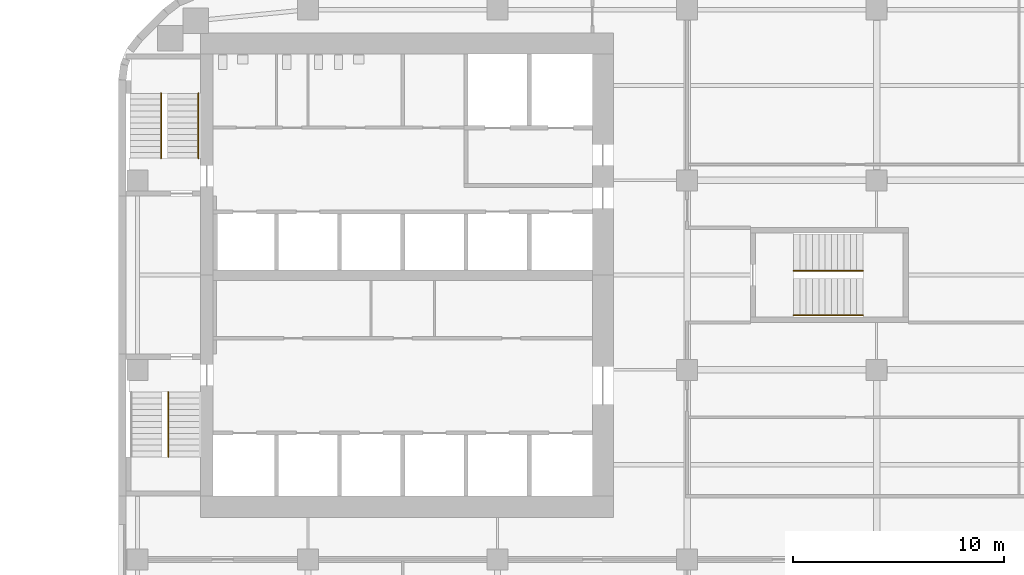
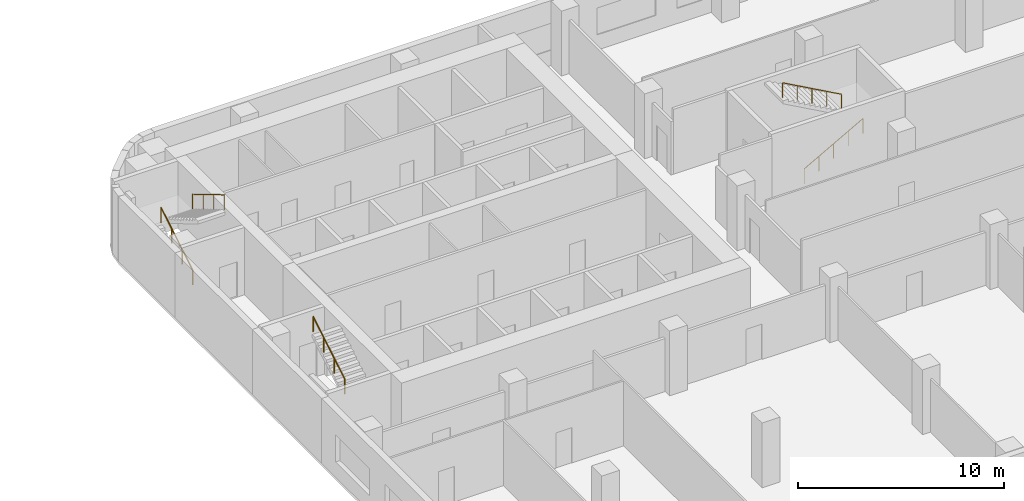
# One storey, part 15 of 16: 5 railings, 3 elements without a shape of their own.
"""IFC4 building model written with IfcOpenShell, lengths in metres."""

from ifc_helpers import new_model, si_unit, direction, frame, origin, origin_2d, place, context, subcontext, project, spatial, circle, extrude, material, type_object, element, aggregate, save


model = new_model("IFC4")

# Units and contexts
model_context = context("Model", 3, precision=1e-05, world=origin(), true_north=direction((0.0, 1.0)))
body_context = subcontext(model_context, "Body", "Model", "MODEL_VIEW")
ifc_project = project(units=[si_unit("LENGTHUNIT", "METRE"), si_unit("AREAUNIT", "SQUARE_METRE"), si_unit("VOLUMEUNIT", "CUBIC_METRE"), si_unit("PLANEANGLEUNIT", "RADIAN"), si_unit("MASSUNIT", "GRAM", prefix="KILO")], contexts=[model_context])

# Site, building, storey
site_placement = place(None, origin())
site = spatial("IfcSite", under=ifc_project, at=site_placement, CompositionType="ELEMENT")
building_placement = place(site_placement, origin())
building = spatial("IfcBuilding", under=site, at=building_placement, Name="Cinnabar Reach Civic Tower", CompositionType="ELEMENT")
storey_placement = place(building_placement, frame((0.0, 0.0, 79.0)))
storey = spatial("IfcBuildingStorey", under=building, at=storey_placement, Name="L18", CompositionType="ELEMENT", Elevation=79.0)

# Stair, railing
ifc_material_1 = material(Name="Concrete C40/50", Category="concrete")
stair_type = type_object("IfcStairType", Name="T1 Exit stair, half-turn", PredefinedType="HALF_TURN_STAIR", material=ifc_material_1)
stair_1_placement = place(storey_placement, origin())
stair_1 = element("IfcStair", 1, at=stair_1_placement, inside=storey, type_object=stair_type, Name="Stair T1-S1", PredefinedType="HALF_TURN_STAIR")
ifc_material_2 = material(Name="Stainless steel tube", Category="steel")
railing_type = type_object("IfcRailingType", Name="T1 Stair handrail, stainless tube 48", PredefinedType="HANDRAIL", material=ifc_material_2)
railing_1_placement = place(storey_placement, frame((2.375, 22.87, 2.1667)))
railing_1 = element("IfcRailing", 2, at=railing_1_placement, type_object=railing_type, Name="T1-S1 handrail 2", PredefinedType="HANDRAIL", context=body_context, shape_type="SweptSolid", body=[
    extrude(circle(Radius=0.024, at=origin_2d()), frame((0.0, 0.0, 0.876), z_axis=(0.0, 0.859296971757, 0.511476992962), x_axis=(-1.0, 0.0, 0.0)), (0.0, 0.0, 1.0), 3.5843),
    extrude(circle(Radius=0.021, at=origin_2d()), origin(), (0.0, 0.0, 1.0), 0.852),
    extrude(circle(Radius=0.021, at=origin_2d()), frame((0.0, 1.0267, 0.6111)), (0.0, 0.0, 1.0), 0.852),
    extrude(circle(Radius=0.021, at=origin_2d()), frame((0.0, 2.0533, 1.2222)), (0.0, 0.0, 1.0), 0.852),
    extrude(circle(Radius=0.021, at=origin_2d()), frame((0.0, 3.08, 1.8333)), (0.0, 0.0, 1.0), 0.852),
])
aggregate(stair_1, [railing_1])

# Stair, railings
stair_2_placement = place(storey_placement, origin())
stair_2 = element("IfcStair", 3, at=stair_2_placement, inside=storey, type_object=stair_type, Name="Stair T1-S2", PredefinedType="HALF_TURN_STAIR")
railing_2_placement = place(storey_placement, frame((2.025, 37.05, 0.1667)))
railing_2 = element("IfcRailing", 4, at=railing_2_placement, type_object=railing_type, Name="T1-S2 handrail 1", PredefinedType="HANDRAIL", context=body_context, shape_type="SweptSolid", body=[
    extrude(circle(Radius=0.024, at=origin_2d()), frame((0.0, 0.0, 0.876), z_axis=(0.0, 0.859296971757, 0.511476992962), x_axis=(-1.0, 0.0, 0.0)), (0.0, 0.0, 1.0), 3.5843),
    extrude(circle(Radius=0.021, at=origin_2d()), origin(), (0.0, 0.0, 1.0), 0.852),
    extrude(circle(Radius=0.021, at=origin_2d()), frame((0.0, 1.0267, 0.6111)), (0.0, 0.0, 1.0), 0.852),
    extrude(circle(Radius=0.021, at=origin_2d()), frame((0.0, 2.0533, 1.2222)), (0.0, 0.0, 1.0), 0.852),
    extrude(circle(Radius=0.021, at=origin_2d()), frame((0.0, 3.08, 1.8333)), (0.0, 0.0, 1.0), 0.852),
])
railing_3_placement = place(storey_placement, frame((3.8, 40.13, 2.1667)))
railing_3 = element("IfcRailing", 5, at=railing_3_placement, type_object=railing_type, Name="T1-S2 handrail 2", PredefinedType="HANDRAIL", context=body_context, shape_type="SweptSolid", body=[
    extrude(circle(Radius=0.024, at=origin_2d()), frame((0.0, 0.0, 0.876), z_axis=(0.0, -0.859296971757, 0.511476992962), x_axis=(1.0, 0.0, 0.0)), (0.0, 0.0, 1.0), 3.5843),
    extrude(circle(Radius=0.021, at=origin_2d()), origin(), (0.0, 0.0, 1.0), 0.852),
    extrude(circle(Radius=0.021, at=origin_2d()), frame((0.0, -1.0267, 0.6111)), (0.0, 0.0, 1.0), 0.852),
    extrude(circle(Radius=0.021, at=origin_2d()), frame((0.0, -2.0533, 1.2222)), (0.0, 0.0, 1.0), 0.852),
    extrude(circle(Radius=0.021, at=origin_2d()), frame((0.0, -3.08, 1.8333)), (0.0, 0.0, 1.0), 0.852),
])
aggregate(stair_2, [railing_2, railing_3])

stair_3_placement = place(storey_placement, origin())
stair_3 = element("IfcStair", 6, at=stair_3_placement, inside=storey, type_object=stair_type, Name="Stair T1-S3", PredefinedType="HALF_TURN_STAIR")
railing_4_placement = place(storey_placement, frame((32.05, 29.6, 0.1667)))
railing_4 = element("IfcRailing", 7, at=railing_4_placement, type_object=railing_type, Name="T1-S3 handrail 1", PredefinedType="HANDRAIL", context=body_context, shape_type="SweptSolid", body=[
    extrude(circle(Radius=0.024, at=origin_2d()), frame((0.0, 0.0, 0.876), z_axis=(0.874161024642, 0.0, 0.485636183781), x_axis=(0.0, 1.0, 0.0)), (0.0, 0.0, 1.0), 3.775),
    extrude(circle(Radius=0.021, at=origin_2d()), origin(), (0.0, 0.0, 1.0), 0.852),
    extrude(circle(Radius=0.021, at=origin_2d()), frame((0.825, 0.0, 0.4583)), (0.0, 0.0, 1.0), 0.852),
    extrude(circle(Radius=0.021, at=origin_2d()), frame((1.65, 0.0, 0.9166)), (0.0, 0.0, 1.0), 0.852),
    extrude(circle(Radius=0.021, at=origin_2d()), frame((2.475, 0.0, 1.375)), (0.0, 0.0, 1.0), 0.852),
    extrude(circle(Radius=0.021, at=origin_2d()), frame((3.3, 0.0, 1.8333)), (0.0, 0.0, 1.0), 0.852),
])
railing_5_placement = place(storey_placement, frame((35.35, 31.7, 2.1667)))
railing_5 = element("IfcRailing", 8, at=railing_5_placement, type_object=railing_type, Name="T1-S3 handrail 2", PredefinedType="HANDRAIL", context=body_context, shape_type="SweptSolid", body=[
    extrude(circle(Radius=0.024, at=origin_2d()), frame((0.0, 0.0, 0.876), z_axis=(-0.874161024642, 0.0, 0.485636183781), x_axis=(0.0, -1.0, 0.0)), (0.0, 0.0, 1.0), 3.775),
    extrude(circle(Radius=0.021, at=origin_2d()), origin(), (0.0, 0.0, 1.0), 0.852),
    extrude(circle(Radius=0.021, at=origin_2d()), frame((-0.825, 0.0, 0.4583)), (0.0, 0.0, 1.0), 0.852),
    extrude(circle(Radius=0.021, at=origin_2d()), frame((-1.65, 0.0, 0.9166)), (0.0, 0.0, 1.0), 0.852),
    extrude(circle(Radius=0.021, at=origin_2d()), frame((-2.475, 0.0, 1.375)), (0.0, 0.0, 1.0), 0.852),
    extrude(circle(Radius=0.021, at=origin_2d()), frame((-3.3, 0.0, 1.8333)), (0.0, 0.0, 1.0), 0.852),
])
aggregate(stair_3, [railing_4, railing_5])

save(model, "model.ifc")
